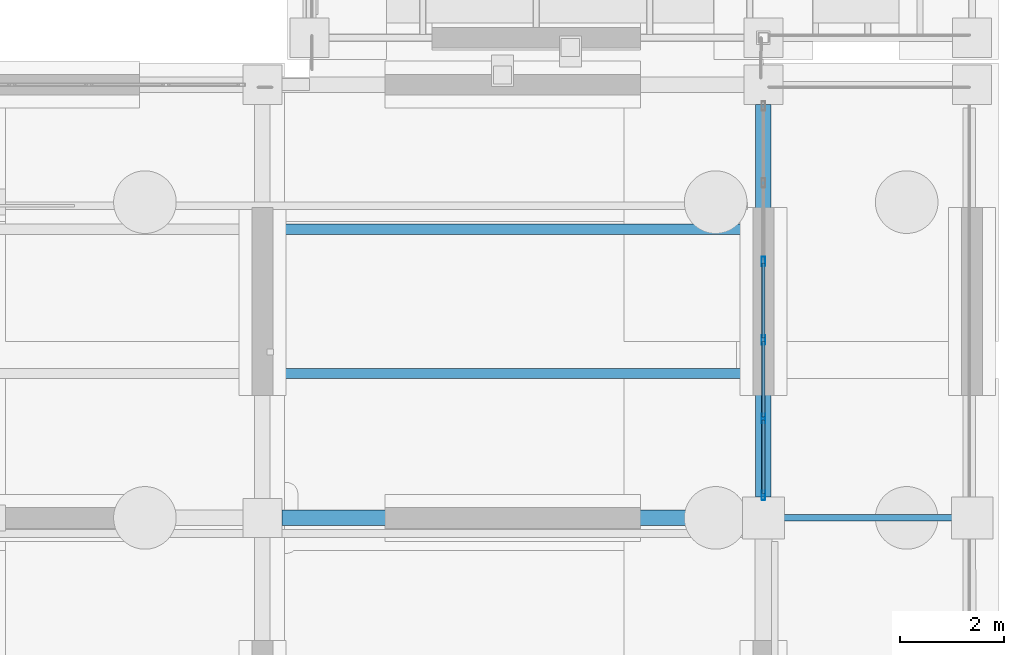
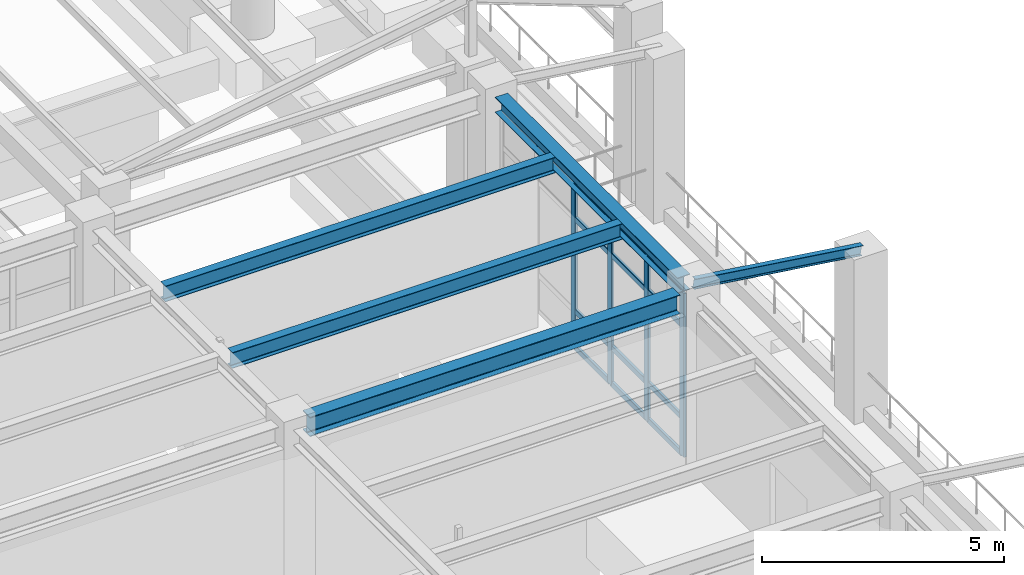
# One storey, part 56 of 111: 17 members, 4 beams, 1 element without a shape of its own.
"""IFC4 building model written with IfcOpenShell, lengths in metres."""

from ifc_helpers import new_model, si_unit, direction, frame, origin, origin_2d, place, context, subcontext, project, spatial, hollow_rectangle, i_section, extrude, material, material_profile, profile_set, type_object, element, aggregate, save


model = new_model("IFC4")

# Units and contexts
model_context = context("Model", 3, precision=1e-05, world=origin(), true_north=direction((0.0, 1.0)))
body_context = subcontext(model_context, "Body", "Model", "MODEL_VIEW")
ifc_project = project(units=[si_unit("LENGTHUNIT", "METRE"), si_unit("AREAUNIT", "SQUARE_METRE"), si_unit("VOLUMEUNIT", "CUBIC_METRE"), si_unit("PLANEANGLEUNIT", "RADIAN"), si_unit("MASSUNIT", "GRAM", prefix="KILO")], contexts=[model_context])

# Site, building, storey
site_placement = place(None, origin())
site = spatial("IfcSite", under=ifc_project, at=site_placement, CompositionType="ELEMENT")
building_placement = place(site_placement, origin())
building = spatial("IfcBuilding", under=site, at=building_placement, Name="Canglan Escarpment Cableway Terminal", CompositionType="ELEMENT")
storey_placement = place(building_placement, frame((0.0, 0.0, 4.800048828125)))
storey = spatial("IfcBuildingStorey", under=building, at=storey_placement, Name="L01", CompositionType="ELEMENT", Elevation=4.800048828125)

# Beams
ifc_material_1 = material(Name="Steel Q355B", Category="steel")
ifc_material_profile_1 = material_profile(ifc_material_1, i_section(OverallWidth=0.300048828125, OverallDepth=0.389892578125, WebThickness=0.010009765625, FlangeThickness=0.01611328125, FilletRadius=0.02197265625, at=origin_2d()), Name="HM 390x300x10x16")
ifc_profile_set_1 = profile_set([ifc_material_profile_1], Name="Steel Q355B")
beam_type_1 = type_object("IfcBeamType", Name="BM-ARCH-TOP-HM390", PredefinedType="BEAM", material=ifc_profile_set_1)
beam_1_placement = place(storey_placement, frame((176.0, 25.199951171875, 4.3349609375), z_axis=(0.0, 1.0, 0.0), x_axis=(-1.0, 0.0, 0.0)))
element("IfcBeam", 1, at=beam_1_placement, inside=storey, type_object=beam_type_1, Name="Primary transverse girder AR-TC1", PredefinedType="BEAM", context=body_context, shape_type="SweptSolid", body=[
    extrude(i_section(OverallWidth=0.300048828125, OverallDepth=0.389892578125, WebThickness=0.010009765625, FlangeThickness=0.01611328125, FilletRadius=0.02197265625, at=origin_2d()), origin(), (0.0, 0.0, 1.0), 7.525146484375),
])
ifc_material_profile_2 = material_profile(ifc_material_1, i_section(OverallWidth=0.300048828125, OverallDepth=0.488037109375, WebThickness=0.010986328125, FlangeThickness=0.01806640625, FilletRadius=0.02587890625, at=origin_2d()), Name="HM 488x300x11x18")
ifc_profile_set_2 = profile_set([ifc_material_profile_2], Name="Steel Q355B")
beam_type_2 = type_object("IfcBeamType", Name="BM-HM488", PredefinedType="BEAM", material=ifc_profile_set_2)
beam_2_placement = place(storey_placement, frame((166.77490234375, 24.800048828125, 4.285888671875), z_axis=(1.0, 0.0, 0.0), x_axis=(0.0, 1.0, 0.0)))
element("IfcBeam", 2, at=beam_2_placement, inside=storey, type_object=beam_type_2, Name="Primary structural girder B-09", PredefinedType="BEAM", context=body_context, shape_type="SweptSolid", body=[
    extrude(i_section(OverallWidth=0.300048828125, OverallDepth=0.488037109375, WebThickness=0.010986328125, FlangeThickness=0.01806640625, FilletRadius=0.02587890625, at=origin_2d()), origin(), (0.0, 0.0, 1.0), 8.8251953125),
])

# Curtain wall, members
ifc_material_2 = material(Name="Anodized bronze aluminium and Low-E double glazing", Category="aluminium")
curtain_wall_type = type_object("IfcCurtainWallType", Name="CW-BAY-7525x4125", PredefinedType="NOTDEFINED", material=ifc_material_2)
curtain_wall_placement = place(storey_placement, origin())
curtain_wall = element("IfcCurtainWall", 3, at=curtain_wall_placement, inside=storey, type_object=curtain_wall_type, Name="Classical bay-between-piers glazed curtain wall CW-24", PredefinedType="NOTDEFINED")
ifc_material_3 = material(Name="Thermally broken anodized aluminium 6063-T6", Category="aluminium")
ifc_material_profile_3 = material_profile(ifc_material_3, hollow_rectangle(XDim=0.06494140625, YDim=0.179931640625, WallThickness=0.00390625, InnerFilletRadius=0.00390625, OuterFilletRadius=0.008056640625, at=origin_2d()), Name="ALU-MULL 65x180x4")
ifc_profile_set_3 = profile_set([ifc_material_profile_3], Name="Thermally broken anodized aluminium 6063-T6")
member_type_1 = type_object("IfcMemberType", Name="CWM-03", PredefinedType="MULLION", material=ifc_profile_set_3)
member_1_placement = place(storey_placement, frame((176.0, 25.232421875, 0.0), z_axis=(0.0, 0.0, 1.0), x_axis=(-1.0, 0.0, 0.0)))
member_1 = element("IfcMember", 4, at=member_1_placement, type_object=member_type_1, Name="CW-24 mullion 1", PredefinedType="MULLION", context=body_context, shape_type="SweptSolid", body=[
    extrude(hollow_rectangle(XDim=0.06494140625, YDim=0.179931640625, WallThickness=0.00390625, InnerFilletRadius=0.00390625, OuterFilletRadius=0.008056640625, at=origin_2d()), origin(), (0.0, 0.0, 1.0), 4.125),
])
member_2_placement = place(storey_placement, frame((176.0, 26.705078125, 0.0), z_axis=(0.0, 0.0, 1.0), x_axis=(-1.0, 0.0, 0.0)))
member_2 = element("IfcMember", 5, at=member_2_placement, type_object=member_type_1, Name="CW-24 mullion 2", PredefinedType="MULLION", context=body_context, shape_type="SweptSolid", body=[
    extrude(hollow_rectangle(XDim=0.06494140625, YDim=0.179931640625, WallThickness=0.00390625, InnerFilletRadius=0.00390625, OuterFilletRadius=0.008056640625, at=origin_2d()), origin(), (0.0, 0.0, 1.0), 4.125),
])
member_3_placement = place(storey_placement, frame((176.0, 28.2099609375, 0.0), z_axis=(0.0, 0.0, 1.0), x_axis=(-1.0, 0.0, 0.0)))
member_3 = element("IfcMember", 6, at=member_3_placement, type_object=member_type_1, Name="CW-24 mullion 3", PredefinedType="MULLION", context=body_context, shape_type="SweptSolid", body=[
    extrude(hollow_rectangle(XDim=0.06494140625, YDim=0.179931640625, WallThickness=0.00390625, InnerFilletRadius=0.00390625, OuterFilletRadius=0.008056640625, at=origin_2d()), origin(), (0.0, 0.0, 1.0), 4.125),
])
member_4_placement = place(storey_placement, frame((176.0, 29.715087890625, 0.0), z_axis=(0.0, 0.0, 1.0), x_axis=(-1.0, 0.0, 0.0)))
member_4 = element("IfcMember", 7, at=member_4_placement, type_object=member_type_1, Name="CW-24 mullion 4", PredefinedType="MULLION", context=body_context, shape_type="SweptSolid", body=[
    extrude(hollow_rectangle(XDim=0.06494140625, YDim=0.179931640625, WallThickness=0.00390625, InnerFilletRadius=0.00390625, OuterFilletRadius=0.008056640625, at=origin_2d()), origin(), (0.0, 0.0, 1.0), 4.125),
])
ifc_material_profile_4 = material_profile(ifc_material_3, hollow_rectangle(XDim=0.06494140625, YDim=0.139892578125, WallThickness=0.00341796875, InnerFilletRadius=0.00341796875, OuterFilletRadius=0.007080078125, at=origin_2d()), Name="ALU-TRAN 65x140x3.5")
ifc_profile_set_4 = profile_set([ifc_material_profile_4], Name="Thermally broken anodized aluminium 6063-T6")
member_type_2 = type_object("IfcMemberType", Name="CWT-03", PredefinedType="USERDEFINED", material=ifc_profile_set_4)
member_5_placement = place(storey_placement, frame((176.0, 25.264892578125, 0.032470703125), z_axis=(0.0, 1.0, 0.0), x_axis=(-1.0, 0.0, 0.0)))
member_5 = element("IfcMember", 8, at=member_5_placement, type_object=member_type_2, Name="CW-24 transom 1.1", ObjectType="TRANSOM", PredefinedType="USERDEFINED", context=body_context, shape_type="SweptSolid", body=[
    extrude(hollow_rectangle(XDim=0.06494140625, YDim=0.139892578125, WallThickness=0.00341796875, InnerFilletRadius=0.00341796875, OuterFilletRadius=0.007080078125, at=origin_2d()), origin(), (0.0, 0.0, 1.0), 1.40771484375),
])
member_6_placement = place(storey_placement, frame((176.0, 25.264892578125, 0.949951171875), z_axis=(0.0, 1.0, 0.0), x_axis=(-1.0, 0.0, 0.0)))
member_6 = element("IfcMember", 9, at=member_6_placement, type_object=member_type_2, Name="CW-24 transom 1.2", ObjectType="TRANSOM", PredefinedType="USERDEFINED", context=body_context, shape_type="SweptSolid", body=[
    extrude(hollow_rectangle(XDim=0.06494140625, YDim=0.139892578125, WallThickness=0.00341796875, InnerFilletRadius=0.00341796875, OuterFilletRadius=0.007080078125, at=origin_2d()), origin(), (0.0, 0.0, 1.0), 1.40771484375),
])
member_7_placement = place(storey_placement, frame((176.0, 25.264892578125, 3.27490234375), z_axis=(0.0, 1.0, 0.0), x_axis=(-1.0, 0.0, 0.0)))
member_7 = element("IfcMember", 10, at=member_7_placement, type_object=member_type_2, Name="CW-24 transom 1.3", ObjectType="TRANSOM", PredefinedType="USERDEFINED", context=body_context, shape_type="SweptSolid", body=[
    extrude(hollow_rectangle(XDim=0.06494140625, YDim=0.139892578125, WallThickness=0.00341796875, InnerFilletRadius=0.00341796875, OuterFilletRadius=0.007080078125, at=origin_2d()), origin(), (0.0, 0.0, 1.0), 1.40771484375),
])
member_8_placement = place(storey_placement, frame((176.0, 25.264892578125, 4.092529296875), z_axis=(0.0, 1.0, 0.0), x_axis=(-1.0, 0.0, 0.0)))
member_8 = element("IfcMember", 11, at=member_8_placement, type_object=member_type_2, Name="CW-24 transom 1.4", ObjectType="TRANSOM", PredefinedType="USERDEFINED", context=body_context, shape_type="SweptSolid", body=[
    extrude(hollow_rectangle(XDim=0.06494140625, YDim=0.139892578125, WallThickness=0.00341796875, InnerFilletRadius=0.00341796875, OuterFilletRadius=0.007080078125, at=origin_2d()), origin(), (0.0, 0.0, 1.0), 1.40771484375),
])
member_9_placement = place(storey_placement, frame((176.0, 26.737548828125, 0.032470703125), z_axis=(0.0, 1.0, 0.0), x_axis=(-1.0, 0.0, 0.0)))
member_9 = element("IfcMember", 12, at=member_9_placement, type_object=member_type_2, Name="CW-24 transom 2.1", ObjectType="TRANSOM", PredefinedType="USERDEFINED", context=body_context, shape_type="SweptSolid", body=[
    extrude(hollow_rectangle(XDim=0.06494140625, YDim=0.139892578125, WallThickness=0.00341796875, InnerFilletRadius=0.00341796875, OuterFilletRadius=0.007080078125, at=origin_2d()), origin(), (0.0, 0.0, 1.0), 1.43994140625),
])
member_10_placement = place(storey_placement, frame((176.0, 26.737548828125, 0.949951171875), z_axis=(0.0, 1.0, 0.0), x_axis=(-1.0, 0.0, 0.0)))
member_10 = element("IfcMember", 13, at=member_10_placement, type_object=member_type_2, Name="CW-24 transom 2.2", ObjectType="TRANSOM", PredefinedType="USERDEFINED", context=body_context, shape_type="SweptSolid", body=[
    extrude(hollow_rectangle(XDim=0.06494140625, YDim=0.139892578125, WallThickness=0.00341796875, InnerFilletRadius=0.00341796875, OuterFilletRadius=0.007080078125, at=origin_2d()), origin(), (0.0, 0.0, 1.0), 1.43994140625),
])
member_11_placement = place(storey_placement, frame((176.0, 26.737548828125, 3.27490234375), z_axis=(0.0, 1.0, 0.0), x_axis=(-1.0, 0.0, 0.0)))
member_11 = element("IfcMember", 14, at=member_11_placement, type_object=member_type_2, Name="CW-24 transom 2.3", ObjectType="TRANSOM", PredefinedType="USERDEFINED", context=body_context, shape_type="SweptSolid", body=[
    extrude(hollow_rectangle(XDim=0.06494140625, YDim=0.139892578125, WallThickness=0.00341796875, InnerFilletRadius=0.00341796875, OuterFilletRadius=0.007080078125, at=origin_2d()), origin(), (0.0, 0.0, 1.0), 1.43994140625),
])
member_12_placement = place(storey_placement, frame((176.0, 26.737548828125, 4.092529296875), z_axis=(0.0, 1.0, 0.0), x_axis=(-1.0, 0.0, 0.0)))
member_12 = element("IfcMember", 15, at=member_12_placement, type_object=member_type_2, Name="CW-24 transom 2.4", ObjectType="TRANSOM", PredefinedType="USERDEFINED", context=body_context, shape_type="SweptSolid", body=[
    extrude(hollow_rectangle(XDim=0.06494140625, YDim=0.139892578125, WallThickness=0.00341796875, InnerFilletRadius=0.00341796875, OuterFilletRadius=0.007080078125, at=origin_2d()), origin(), (0.0, 0.0, 1.0), 1.43994140625),
])
member_13_placement = place(storey_placement, frame((176.0, 28.242431640625, 0.032470703125), z_axis=(0.0, 1.0, 0.0), x_axis=(-1.0, 0.0, 0.0)))
member_13 = element("IfcMember", 16, at=member_13_placement, type_object=member_type_2, Name="CW-24 transom 3.1", ObjectType="TRANSOM", PredefinedType="USERDEFINED", context=body_context, shape_type="SweptSolid", body=[
    extrude(hollow_rectangle(XDim=0.06494140625, YDim=0.139892578125, WallThickness=0.00341796875, InnerFilletRadius=0.00341796875, OuterFilletRadius=0.007080078125, at=origin_2d()), origin(), (0.0, 0.0, 1.0), 1.440185546875),
])
member_14_placement = place(storey_placement, frame((176.0, 28.242431640625, 0.949951171875), z_axis=(0.0, 1.0, 0.0), x_axis=(-1.0, 0.0, 0.0)))
member_14 = element("IfcMember", 17, at=member_14_placement, type_object=member_type_2, Name="CW-24 transom 3.2", ObjectType="TRANSOM", PredefinedType="USERDEFINED", context=body_context, shape_type="SweptSolid", body=[
    extrude(hollow_rectangle(XDim=0.06494140625, YDim=0.139892578125, WallThickness=0.00341796875, InnerFilletRadius=0.00341796875, OuterFilletRadius=0.007080078125, at=origin_2d()), origin(), (0.0, 0.0, 1.0), 1.440185546875),
])
member_15_placement = place(storey_placement, frame((176.0, 28.242431640625, 3.27490234375), z_axis=(0.0, 1.0, 0.0), x_axis=(-1.0, 0.0, 0.0)))
member_15 = element("IfcMember", 18, at=member_15_placement, type_object=member_type_2, Name="CW-24 transom 3.3", ObjectType="TRANSOM", PredefinedType="USERDEFINED", context=body_context, shape_type="SweptSolid", body=[
    extrude(hollow_rectangle(XDim=0.06494140625, YDim=0.139892578125, WallThickness=0.00341796875, InnerFilletRadius=0.00341796875, OuterFilletRadius=0.007080078125, at=origin_2d()), origin(), (0.0, 0.0, 1.0), 1.440185546875),
])
member_16_placement = place(storey_placement, frame((176.0, 28.242431640625, 4.092529296875), z_axis=(0.0, 1.0, 0.0), x_axis=(-1.0, 0.0, 0.0)))
member_16 = element("IfcMember", 19, at=member_16_placement, type_object=member_type_2, Name="CW-24 transom 3.4", ObjectType="TRANSOM", PredefinedType="USERDEFINED", context=body_context, shape_type="SweptSolid", body=[
    extrude(hollow_rectangle(XDim=0.06494140625, YDim=0.139892578125, WallThickness=0.00341796875, InnerFilletRadius=0.00341796875, OuterFilletRadius=0.007080078125, at=origin_2d()), origin(), (0.0, 0.0, 1.0), 1.440185546875),
])
aggregate(curtain_wall, [member_1, member_2, member_3, member_4, member_5, member_6, member_7, member_8, member_9, member_10, member_11, member_12, member_13, member_14, member_15, member_16])

# Beams
ifc_material_profile_5 = material_profile(ifc_material_1, i_section(OverallWidth=0.199951171875, OverallDepth=0.39990234375, WebThickness=0.008056640625, FlangeThickness=0.012939453125, FilletRadius=0.01611328125, at=origin_2d()), Name="HN 400x200x8x13")
ifc_profile_set_5 = profile_set([ifc_material_profile_5], Name="Steel Q355B")
beam_type_3 = type_object("IfcBeamType", Name="JS-HN400", PredefinedType="JOIST", material=ifc_profile_set_5)
for number, where, z_axis, x_axis, name in (
    (20, (166.550048828125, 27.566650390625, 4.329833984375), (1.0, 0.0, 0.0), (0.0, 1.0, 0.0), "Secondary composite deck joist J-03"),
    (21, (166.550048828125, 30.333251953125, 4.329833984375), (1.0, 0.0, 0.0), (0.0, 1.0, 0.0), "Secondary composite deck joist J-03"),
):
    element("IfcBeam", number, at=place(storey_placement, frame(where, z_axis=z_axis, x_axis=x_axis)), inside=storey, type_object=beam_type_3, Name=name, PredefinedType="JOIST", context=body_context, shape_type="SweptSolid", body=[
        extrude(i_section(OverallWidth=0.199951171875, OverallDepth=0.39990234375, WebThickness=0.008056640625, FlangeThickness=0.012939453125, FilletRadius=0.01611328125, at=origin_2d()), origin(), (0.0, 0.0, 1.0), 9.300048828125),
    ])

# Member
ifc_material_profile_6 = material_profile(ifc_material_1, i_section(OverallWidth=0.125, OverallDepth=0.25, WebThickness=0.006103515625, FlangeThickness=0.009033203125, FilletRadius=0.011962890625, at=origin_2d()), Name="HN 250x125x6x9")
ifc_profile_set_6 = profile_set([ifc_material_profile_6], Name="Steel Q355B")
member_type_3 = type_object("IfcMemberType", Name="MB-PORT-RAFT-HN250", PredefinedType="RAFTER", material=ifc_profile_set_6)
member_17_placement = place(storey_placement, frame((176.0, 24.800048828125, 4.599853515625), z_axis=(0.990685366619, 0.0, -0.136170864601), x_axis=(0.0, 1.0, 0.0)))
element("IfcMember", 22, at=member_17_placement, inside=storey, type_object=member_type_3, Name="Arrival portico canopy rafter RF-R02", PredefinedType="RAFTER", context=body_context, shape_type="SweptSolid", body=[
    extrude(i_section(OverallWidth=0.125, OverallDepth=0.25, WebThickness=0.006103515625, FlangeThickness=0.009033203125, FilletRadius=0.011962890625, at=origin_2d()), origin(), (0.0, 0.0, 1.0), 4.03759765625),
])

save(model, "model.ifc")
